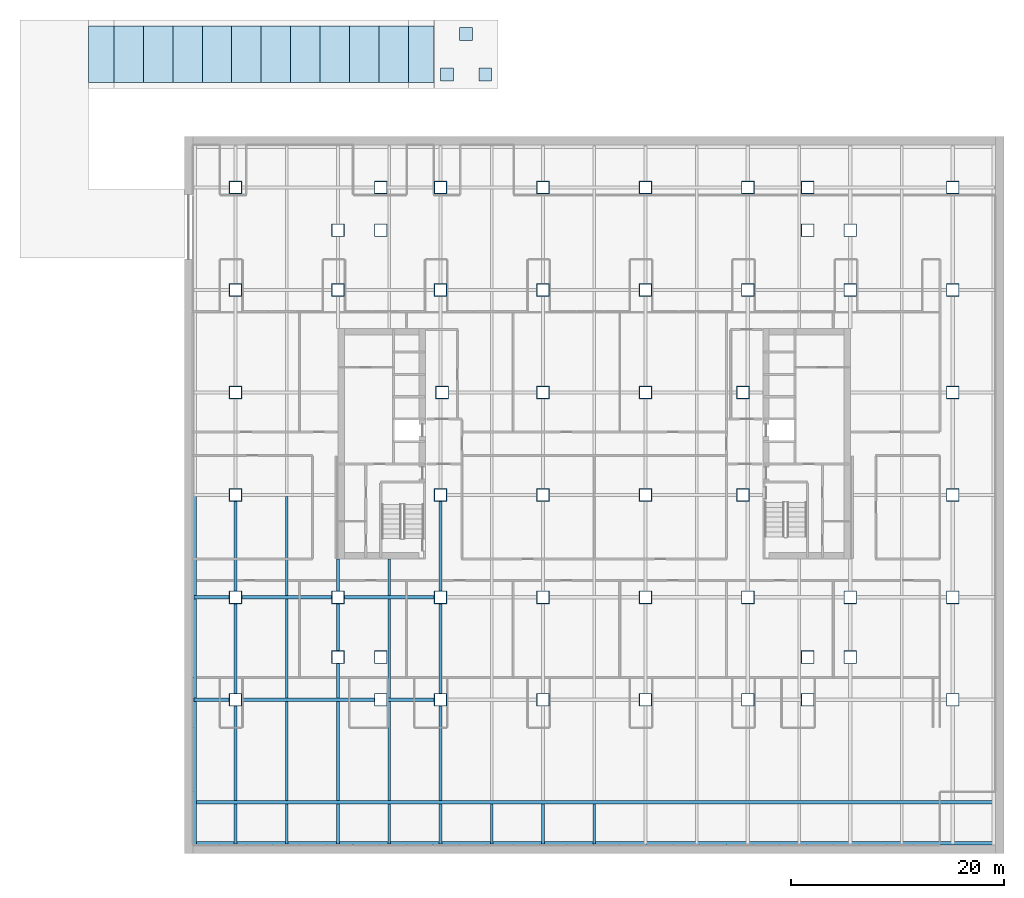
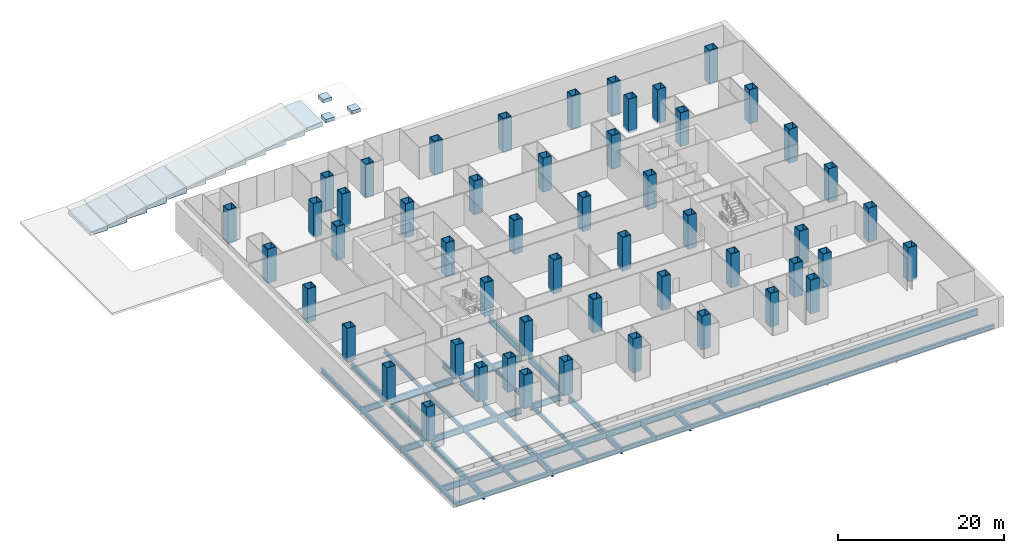
# One storey, part 1 of 11: 52 columns, 35 beams, 15 footings.
"""IFC4 building model written with IfcOpenShell, lengths in metres."""

from ifc_helpers import new_model, si_unit, direction, frame, origin, origin_2d, place, context, subcontext, project, spatial, polyline, hollow_rectangle, i_section, outline, extrude, material, material_profile, profile_set, type_object, element, save


model = new_model("IFC4")

# Units and contexts
model_context = context("Model", 3, precision=1e-05, world=origin(), true_north=direction((0.0, 1.0)))
body_context = subcontext(model_context, "Body", "Model", "MODEL_VIEW")
ifc_project = project(units=[si_unit("LENGTHUNIT", "METRE"), si_unit("AREAUNIT", "SQUARE_METRE"), si_unit("VOLUMEUNIT", "CUBIC_METRE"), si_unit("PLANEANGLEUNIT", "RADIAN"), si_unit("MASSUNIT", "GRAM", prefix="KILO")], contexts=[model_context])

# Site, building, storey
site_placement = place(None, origin())
site = spatial("IfcSite", under=ifc_project, at=site_placement, CompositionType="ELEMENT")
building_placement = place(site_placement, origin())
building = spatial("IfcBuilding", under=site, at=building_placement, Name="Cobrizo Arcos Hotel Tower", CompositionType="ELEMENT")
storey_placement = place(building_placement, frame((0.0, 0.0, -5.0)))
storey = spatial("IfcBuildingStorey", under=building, at=storey_placement, Name="B1", CompositionType="ELEMENT", Elevation=-5.0)

# Footings
ifc_material_1 = material(Name="Concrete f'c 40 MPa", Category="concrete")
footing_type_1 = type_object("IfcFootingType", Name="Ramp bed footing 500", PredefinedType="STRIP_FOOTING", material=ifc_material_1)
footing_1_placement = place(storey_placement, frame((-15.0, 36.5, 4.0), z_axis=(0.0, 0.0, 1.0), x_axis=(-1.0, 0.0, 0.0)))
element("IfcFooting", 1, at=footing_1_placement, inside=storey, type_object=footing_type_1, Name="Ramp A bed footing 1.1", PredefinedType="STRIP_FOOTING", context=body_context, shape_type="SweptSolid", body=[
    extrude(outline(polyline([(0.0, 0.0), (2.39990234375, 0.0), (2.39990234375, 0.5), (0.0, 0.699951171875), (0.0, 0.0)])), frame((0.0, 2.64990234375, 0.0), z_axis=(0.0, -1.0, 0.0), x_axis=(1.0, 0.0, 0.0)), (0.0, 0.0, 1.0), 5.300048828125),
])
for number, where, z_axis, x_axis, name in (
    (2, (-17.39990234375, 36.5, 3.5400390625), (0.0, 0.0, 1.0), (-1.0, 0.0, 0.0), "Ramp A bed footing 2.1"),
    (3, (-20.159912109375, 36.5, 3.080078125), (0.0, 0.0, 1.0), (-1.0, 0.0, 0.0), "Ramp A bed footing 2.2"),
    (4, (-22.919921875, 36.5, 2.6201171875), (0.0, 0.0, 1.0), (-1.0, 0.0, 0.0), "Ramp A bed footing 2.3"),
):
    element("IfcFooting", number, at=place(storey_placement, frame(where, z_axis=z_axis, x_axis=x_axis)), inside=storey, type_object=footing_type_1, Name=name, PredefinedType="STRIP_FOOTING", context=body_context, shape_type="SweptSolid", body=[
        extrude(outline(polyline([(0.0, 0.0), (2.760009765625, 0.0), (2.760009765625, 0.5), (0.0, 0.9599609375), (0.0, 0.0)])), frame((0.0, 2.64990234375, 0.0), z_axis=(0.0, -1.0, 0.0), x_axis=(1.0, 0.0, 0.0)), (0.0, 0.0, 1.0), 5.300048828125),
    ])
footing_2_placement = place(storey_placement, frame((-25.679931640625, 36.5, 2.159912109375), z_axis=(0.0, 0.0, 1.0), x_axis=(-1.0, 0.0, 0.0)))
element("IfcFooting", 5, at=footing_2_placement, inside=storey, type_object=footing_type_1, Name="Ramp A bed footing 2.4", PredefinedType="STRIP_FOOTING", context=body_context, shape_type="SweptSolid", body=[
    extrude(outline(polyline([(0.0, 0.0), (2.760009765625, 0.0), (2.760009765625, 0.5), (0.0, 0.960205078125), (0.0, 0.0)])), frame((0.0, 2.64990234375, 0.0), z_axis=(0.0, -1.0, 0.0), x_axis=(1.0, 0.0, 0.0)), (0.0, 0.0, 1.0), 5.300048828125),
])
for number, where, z_axis, x_axis, name in (
    (6, (-28.43994140625, 36.5, 1.699951171875), (0.0, 0.0, 1.0), (-1.0, 0.0, 0.0), "Ramp A bed footing 2.5"),
    (7, (-31.199951171875, 36.5, 1.239990234375), (0.0, 0.0, 1.0), (-1.0, 0.0, 0.0), "Ramp A bed footing 2.6"),
    (8, (-33.9599609375, 36.5, 0.780029296875), (0.0, 0.0, 1.0), (-1.0, 0.0, 0.0), "Ramp A bed footing 2.7"),
    (9, (-36.719970703125, 36.5, 0.320068359375), (0.0, 0.0, 1.0), (-1.0, 0.0, 0.0), "Ramp A bed footing 2.8"),
    (10, (-39.47998046875, 36.5, -0.139892578125), (0.0, 0.0, 1.0), (-1.0, 0.0, 0.0), "Ramp A bed footing 2.9"),
):
    element("IfcFooting", number, at=place(storey_placement, frame(where, z_axis=z_axis, x_axis=x_axis)), inside=storey, type_object=footing_type_1, Name=name, PredefinedType="STRIP_FOOTING", context=body_context, shape_type="SweptSolid", body=[
        extrude(outline(polyline([(0.0, 0.0), (2.760009765625, 0.0), (2.760009765625, 0.5), (0.0, 0.9599609375), (0.0, 0.0)])), frame((0.0, 2.64990234375, 0.0), z_axis=(0.0, -1.0, 0.0), x_axis=(1.0, 0.0, 0.0)), (0.0, 0.0, 1.0), 5.300048828125),
    ])
footing_3_placement = place(storey_placement, frame((-42.239990234375, 36.5, -0.60009765625), z_axis=(0.0, 0.0, 1.0), x_axis=(-1.0, 0.0, 0.0)))
element("IfcFooting", 11, at=footing_3_placement, inside=storey, type_object=footing_type_1, Name="Ramp A bed footing 2.10", PredefinedType="STRIP_FOOTING", context=body_context, shape_type="SweptSolid", body=[
    extrude(outline(polyline([(0.0, 0.0), (2.760009765625, 0.0), (2.760009765625, 0.5), (0.0, 0.960205078125), (0.0, 0.0)])), frame((0.0, 2.64990234375, 0.0), z_axis=(0.0, -1.0, 0.0), x_axis=(1.0, 0.0, 0.0)), (0.0, 0.0, 1.0), 5.300048828125),
])
footing_4_placement = place(storey_placement, frame((-45.0, 36.5, -0.800048828125), z_axis=(0.0, 0.0, 1.0), x_axis=(-1.0, 0.0, 0.0)))
element("IfcFooting", 12, at=footing_4_placement, inside=storey, type_object=footing_type_1, Name="Ramp A bed footing 3.1", PredefinedType="STRIP_FOOTING", context=body_context, shape_type="SweptSolid", body=[
    extrude(outline(polyline([(0.0, 0.0), (2.39990234375, 0.0), (2.39990234375, 0.5), (0.0, 0.699951171875), (0.0, 0.0)])), frame((0.0, 2.64990234375, 0.0), z_axis=(0.0, -1.0, 0.0), x_axis=(1.0, 0.0, 0.0)), (0.0, 0.0, 1.0), 5.300048828125),
])
footing_type_2 = type_object("IfcFootingType", Name="Ramp wall footing 1400 x 500", PredefinedType="STRIP_FOOTING", material=ifc_material_1)
footing_5_placement = place(storey_placement, frame((0.0, 0.0, 4.199951171875)))
element("IfcFooting", 13, at=footing_5_placement, inside=storey, type_object=footing_type_2, Name="Ramp A apron pad footing 1", PredefinedType="STRIP_FOOTING", context=body_context, shape_type="SweptSolid", body=[
    extrude(outline(polyline([(-14.39990234375, 34.0), (-13.199951171875, 34.0), (-13.199951171875, 35.199951171875), (-14.39990234375, 35.199951171875), (-14.39990234375, 34.0)])), origin(), (0.0, 0.0, 1.0), 0.5),
])
footing_6_placement = place(storey_placement, frame((0.0, 0.0, 4.199951171875)))
element("IfcFooting", 14, at=footing_6_placement, inside=storey, type_object=footing_type_2, Name="Ramp A apron pad footing 2", PredefinedType="STRIP_FOOTING", context=body_context, shape_type="SweptSolid", body=[
    extrude(outline(polyline([(-10.800048828125, 34.0), (-9.60009765625, 34.0), (-9.60009765625, 35.199951171875), (-10.800048828125, 35.199951171875), (-10.800048828125, 34.0)])), origin(), (0.0, 0.0, 1.0), 0.5),
])
footing_7_placement = place(storey_placement, frame((0.0, 0.0, 4.199951171875)))
element("IfcFooting", 15, at=footing_7_placement, inside=storey, type_object=footing_type_2, Name="Ramp A apron pad footing 3", PredefinedType="STRIP_FOOTING", context=body_context, shape_type="SweptSolid", body=[
    extrude(outline(polyline([(-12.60009765625, 37.800048828125), (-11.39990234375, 37.800048828125), (-11.39990234375, 39.0), (-12.60009765625, 39.0), (-12.60009765625, 37.800048828125)])), origin(), (0.0, 0.0, 1.0), 0.5),
])

# Columns
ifc_material_2 = material(Name="Steel ASTM A572 Grade 50", Category="steel")
ifc_material_profile_1 = material_profile(ifc_material_2, hollow_rectangle(XDim=1.199951171875, YDim=1.199951171875, WallThickness=0.070068359375, at=origin_2d()), Name="BOX 1200X1200X70")
ifc_profile_set_1 = profile_set([ifc_material_profile_1], Name="Steel ASTM A572 Grade 50")
column_type_1 = type_object("IfcColumnType", Name="BOX 1200X1200X70 column", PredefinedType="COLUMN", material=ifc_profile_set_1)
for number, where, z_axis, x_axis, name in (
    (16, (-33.60009765625, -24.0, -0.300048828125), (0.0, 0.0, 1.0), (1.0, 0.0, 0.0), "Perimeter column C1, B1, no. 00"),
    (17, (-33.60009765625, -14.39990234375, -0.300048828125), (0.0, 0.0, 1.0), (1.0, 0.0, 0.0), "Perimeter column C1, B1, no. 01"),
    (18, (-33.60009765625, -4.800048828125, -0.300048828125), (0.0, 0.0, 1.0), (1.0, 0.0, 0.0), "Perimeter column C1, B1, no. 02"),
    (19, (-33.60009765625, 4.800048828125, -0.300048828125), (0.0, 0.0, 1.0), (1.0, 0.0, 0.0), "Perimeter column C1, B1, no. 03"),
    (20, (-33.60009765625, 14.39990234375, -0.300048828125), (0.0, 0.0, 1.0), (1.0, 0.0, 0.0), "Perimeter column C1, B1, no. 04"),
    (21, (-33.60009765625, 24.0, -0.300048828125), (0.0, 0.0, 1.0), (1.0, 0.0, 0.0), "Perimeter column C1, B1, no. 05"),
    (22, (-20.0, -24.0, -0.300048828125), (0.0, 0.0, 1.0), (1.0, 0.0, 0.0), "Perimeter column C1, B1, no. 06"),
    (23, (-20.0, 24.0, -0.300048828125), (0.0, 0.0, 1.0), (1.0, 0.0, 0.0), "Perimeter column C1, B1, no. 07"),
    (24, (-14.39990234375, -24.0, -0.300048828125), (0.0, 0.0, 1.0), (1.0, 0.0, 0.0), "Perimeter column C1, B1, no. 08"),
    (25, (-14.39990234375, 24.0, -0.300048828125), (0.0, 0.0, 1.0), (1.0, 0.0, 0.0), "Perimeter column C1, B1, no. 09"),
    (26, (-4.800048828125, -24.0, -0.300048828125), (0.0, 0.0, 1.0), (1.0, 0.0, 0.0), "Perimeter column C1, B1, no. 10"),
    (27, (-4.800048828125, 24.0, -0.300048828125), (0.0, 0.0, 1.0), (1.0, 0.0, 0.0), "Perimeter column C1, B1, no. 11"),
    (28, (4.800048828125, -24.0, -0.300048828125), (0.0, 0.0, 1.0), (1.0, 0.0, 0.0), "Perimeter column C1, B1, no. 12"),
    (29, (4.800048828125, 24.0, -0.300048828125), (0.0, 0.0, 1.0), (1.0, 0.0, 0.0), "Perimeter column C1, B1, no. 13"),
    (30, (14.39990234375, -24.0, -0.300048828125), (0.0, 0.0, 1.0), (1.0, 0.0, 0.0), "Perimeter column C1, B1, no. 14"),
    (31, (14.39990234375, 24.0, -0.300048828125), (0.0, 0.0, 1.0), (1.0, 0.0, 0.0), "Perimeter column C1, B1, no. 15"),
    (32, (20.0, -24.0, -0.300048828125), (0.0, 0.0, 1.0), (1.0, 0.0, 0.0), "Perimeter column C1, B1, no. 16"),
    (33, (20.0, 24.0, -0.300048828125), (0.0, 0.0, 1.0), (1.0, 0.0, 0.0), "Perimeter column C1, B1, no. 17"),
    (34, (33.60009765625, -24.0, -0.300048828125), (0.0, 0.0, 1.0), (1.0, 0.0, 0.0), "Perimeter column C1, B1, no. 18"),
    (35, (33.60009765625, -14.39990234375, -0.300048828125), (0.0, 0.0, 1.0), (1.0, 0.0, 0.0), "Perimeter column C1, B1, no. 19"),
    (36, (33.60009765625, -4.800048828125, -0.300048828125), (0.0, 0.0, 1.0), (1.0, 0.0, 0.0), "Perimeter column C1, B1, no. 20"),
    (37, (33.60009765625, 4.800048828125, -0.300048828125), (0.0, 0.0, 1.0), (1.0, 0.0, 0.0), "Perimeter column C1, B1, no. 21"),
    (38, (33.60009765625, 14.39990234375, -0.300048828125), (0.0, 0.0, 1.0), (1.0, 0.0, 0.0), "Perimeter column C1, B1, no. 22"),
    (39, (33.60009765625, 24.0, -0.300048828125), (0.0, 0.0, 1.0), (1.0, 0.0, 0.0), "Perimeter column C1, B1, no. 23"),
):
    element("IfcColumn", number, at=place(storey_placement, frame(where, z_axis=z_axis, x_axis=x_axis)), inside=storey, type_object=column_type_1, Name=name, PredefinedType="COLUMN", context=body_context, shape_type="SweptSolid", body=[
        extrude(hollow_rectangle(XDim=1.199951171875, YDim=1.199951171875, WallThickness=0.070068359375, at=origin_2d()), origin(), (0.0, 0.0, 1.0), 5.0),
    ])
ifc_material_profile_2 = material_profile(ifc_material_2, hollow_rectangle(XDim=1.199951171875, YDim=1.199951171875, WallThickness=0.070068359375, at=origin_2d()), Name="BOX 1200X1200X70")
ifc_profile_set_2 = profile_set([ifc_material_profile_2], Name="Steel ASTM A572 Grade 50")
column_type_2 = type_object("IfcColumnType", Name="BOX 1200X1200X70 interior column", PredefinedType="COLUMN", material=ifc_profile_set_2)
for number, where, z_axis, x_axis, name in (
    (40, (-24.0, -20.0, -0.300048828125), (0.0, 0.0, 1.0), (1.0, 0.0, 0.0), "Interior column C2, B1, no. 00"),
    (41, (-24.0, -14.39990234375, -0.300048828125), (0.0, 0.0, 1.0), (1.0, 0.0, 0.0), "Interior column C2, B1, no. 01"),
    (42, (-24.0, 14.39990234375, -0.300048828125), (0.0, 0.0, 1.0), (1.0, 0.0, 0.0), "Interior column C2, B1, no. 02"),
    (43, (-24.0, 20.0, -0.300048828125), (0.0, 0.0, 1.0), (1.0, 0.0, 0.0), "Interior column C2, B1, no. 03"),
    (44, (-20.0, -20.0, -0.300048828125), (0.0, 0.0, 1.0), (1.0, 0.0, 0.0), "Interior column C2, B1, no. 04"),
    (45, (-20.0, 20.0, -0.300048828125), (0.0, 0.0, 1.0), (1.0, 0.0, 0.0), "Interior column C2, B1, no. 05"),
    (46, (-14.39990234375, -14.39990234375, -0.300048828125), (0.0, 0.0, 1.0), (1.0, 0.0, 0.0), "Interior column C2, B1, no. 06"),
    (47, (-14.39990234375, -4.800048828125, -0.300048828125), (0.0, 0.0, 1.0), (1.0, 0.0, 0.0), "Interior column C2, B1, no. 07"),
    (48, (-14.25, 4.800048828125, -0.300048828125), (0.0, 0.0, 1.0), (1.0, 0.0, 0.0), "Interior column C2, B1, no. 08"),
    (49, (-14.39990234375, 14.39990234375, -0.300048828125), (0.0, 0.0, 1.0), (1.0, 0.0, 0.0), "Interior column C2, B1, no. 09"),
    (50, (-4.800048828125, -14.39990234375, -0.300048828125), (0.0, 0.0, 1.0), (1.0, 0.0, 0.0), "Interior column C2, B1, no. 10"),
    (51, (-4.800048828125, -4.800048828125, -0.300048828125), (0.0, 0.0, 1.0), (1.0, 0.0, 0.0), "Interior column C2, B1, no. 11"),
    (52, (-4.800048828125, 4.800048828125, -0.300048828125), (0.0, 0.0, 1.0), (1.0, 0.0, 0.0), "Interior column C2, B1, no. 12"),
    (53, (-4.800048828125, 14.39990234375, -0.300048828125), (0.0, 0.0, 1.0), (1.0, 0.0, 0.0), "Interior column C2, B1, no. 13"),
    (54, (4.800048828125, -14.39990234375, -0.300048828125), (0.0, 0.0, 1.0), (1.0, 0.0, 0.0), "Interior column C2, B1, no. 14"),
    (55, (4.800048828125, -4.800048828125, -0.300048828125), (0.0, 0.0, 1.0), (1.0, 0.0, 0.0), "Interior column C2, B1, no. 15"),
    (56, (4.800048828125, 4.800048828125, -0.300048828125), (0.0, 0.0, 1.0), (1.0, 0.0, 0.0), "Interior column C2, B1, no. 16"),
    (57, (4.800048828125, 14.39990234375, -0.300048828125), (0.0, 0.0, 1.0), (1.0, 0.0, 0.0), "Interior column C2, B1, no. 17"),
    (58, (14.39990234375, -14.39990234375, -0.300048828125), (0.0, 0.0, 1.0), (1.0, 0.0, 0.0), "Interior column C2, B1, no. 18"),
    (59, (13.93994140625, -4.800048828125, -0.300048828125), (0.0, 0.0, 1.0), (1.0, 0.0, 0.0), "Interior column C2, B1, no. 19"),
    (60, (13.93994140625, 4.800048828125, -0.300048828125), (0.0, 0.0, 1.0), (1.0, 0.0, 0.0), "Interior column C2, B1, no. 20"),
    (61, (14.39990234375, 14.39990234375, -0.300048828125), (0.0, 0.0, 1.0), (1.0, 0.0, 0.0), "Interior column C2, B1, no. 21"),
    (62, (20.0, -20.0, -0.300048828125), (0.0, 0.0, 1.0), (1.0, 0.0, 0.0), "Interior column C2, B1, no. 22"),
    (63, (20.0, 20.0, -0.300048828125), (0.0, 0.0, 1.0), (1.0, 0.0, 0.0), "Interior column C2, B1, no. 23"),
    (64, (24.0, -20.0, -0.300048828125), (0.0, 0.0, 1.0), (1.0, 0.0, 0.0), "Interior column C2, B1, no. 24"),
    (65, (24.0, -14.39990234375, -0.300048828125), (0.0, 0.0, 1.0), (1.0, 0.0, 0.0), "Interior column C2, B1, no. 25"),
    (66, (24.0, 14.39990234375, -0.300048828125), (0.0, 0.0, 1.0), (1.0, 0.0, 0.0), "Interior column C2, B1, no. 26"),
    (67, (24.0, 20.0, -0.300048828125), (0.0, 0.0, 1.0), (1.0, 0.0, 0.0), "Interior column C2, B1, no. 27"),
):
    element("IfcColumn", number, at=place(storey_placement, frame(where, z_axis=z_axis, x_axis=x_axis)), inside=storey, type_object=column_type_2, Name=name, PredefinedType="COLUMN", context=body_context, shape_type="SweptSolid", body=[
        extrude(hollow_rectangle(XDim=1.199951171875, YDim=1.199951171875, WallThickness=0.070068359375, at=origin_2d()), origin(), (0.0, 0.0, 1.0), 5.0),
    ])

# Beams
ifc_material_3 = material(Name="Steel ASTM A992 Grade 50", Category="steel")
ifc_material_profile_3 = material_profile(ifc_material_3, i_section(OverallWidth=0.32763671875, OverallDepth=0.622314453125, WebThickness=0.015380859375, FlangeThickness=0.0244140625, at=origin_2d()), Name="W24X131")
ifc_profile_set_3 = profile_set([ifc_material_profile_3], Name="Steel ASTM A992 Grade 50")
beam_type_1 = type_object("IfcBeamType", Name="W24X131 edge beam", PredefinedType="BEAM", material=ifc_profile_set_3)
beam_1_placement = place(storey_placement, frame((37.60009765625, -37.436279296875, -0.611083984375), z_axis=(-1.0, 0.0, 0.0), x_axis=(0.0, -1.0, 0.0)))
element("IfcBeam", 68, at=beam_1_placement, inside=storey, type_object=beam_type_1, Name="Edge beam EB1, B1, no. 001", PredefinedType="BEAM", context=body_context, shape_type="SweptSolid", body=[
    extrude(i_section(OverallWidth=0.32763671875, OverallDepth=0.622314453125, WebThickness=0.015380859375, FlangeThickness=0.0244140625, at=origin_2d()), origin(), (0.0, 0.0, 1.0), 75.2001953125),
])
beam_2_placement = place(storey_placement, frame((-37.436279296875, -37.60009765625, -0.611083984375), z_axis=(0.0, 1.0, 0.0), x_axis=(-1.0, 0.0, 0.0)))
element("IfcBeam", 69, at=beam_2_placement, inside=storey, type_object=beam_type_1, Name="Edge beam EB1, B1, no. 002", PredefinedType="BEAM", context=body_context, shape_type="SweptSolid", body=[
    extrude(i_section(OverallWidth=0.32763671875, OverallDepth=0.622314453125, WebThickness=0.015380859375, FlangeThickness=0.0244140625, at=origin_2d()), origin(), (0.0, 0.0, 1.0), 13.60009765625),
])
beam_3_placement = place(storey_placement, frame((-37.436279296875, -24.0, -0.611083984375), z_axis=(0.0, 1.0, 0.0), x_axis=(-1.0, 0.0, 0.0)))
element("IfcBeam", 70, at=beam_3_placement, inside=storey, type_object=beam_type_1, Name="Edge beam EB1, B1, no. 003", PredefinedType="BEAM", context=body_context, shape_type="SweptSolid", body=[
    extrude(i_section(OverallWidth=0.32763671875, OverallDepth=0.622314453125, WebThickness=0.015380859375, FlangeThickness=0.0244140625, at=origin_2d()), origin(), (0.0, 0.0, 1.0), 9.60009765625),
])
beam_4_placement = place(storey_placement, frame((-37.436279296875, -14.39990234375, -0.611083984375), z_axis=(0.0, 1.0, 0.0), x_axis=(-1.0, 0.0, 0.0)))
element("IfcBeam", 71, at=beam_4_placement, inside=storey, type_object=beam_type_1, Name="Edge beam EB1, B1, no. 004", PredefinedType="BEAM", context=body_context, shape_type="SweptSolid", body=[
    extrude(i_section(OverallWidth=0.32763671875, OverallDepth=0.622314453125, WebThickness=0.015380859375, FlangeThickness=0.0244140625, at=origin_2d()), origin(), (0.0, 0.0, 1.0), 9.599853515625),
])
ifc_material_profile_4 = material_profile(ifc_material_3, i_section(OverallWidth=0.23046875, OverallDepth=0.6171875, WebThickness=0.01318359375, FlangeThickness=0.022216796875, at=origin_2d()), Name="W24X94")
ifc_profile_set_4 = profile_set([ifc_material_profile_4], Name="Steel ASTM A992 Grade 50")
beam_type_2 = type_object("IfcBeamType", Name="W24X94 podium joist", PredefinedType="JOIST", material=ifc_profile_set_4)
beam_5_placement = place(storey_placement, frame((-28.800048828125, -37.510009765625, -0.608642578125), z_axis=(0.0, 1.0, 0.0), x_axis=(-1.0, 0.0, 0.0)))
element("IfcBeam", 72, at=beam_5_placement, inside=storey, type_object=beam_type_2, Name="Podium joist PJ1, B1, no. 001", PredefinedType="JOIST", context=body_context, shape_type="SweptSolid", body=[
    extrude(i_section(OverallWidth=0.23046875, OverallDepth=0.6171875, WebThickness=0.01318359375, FlangeThickness=0.022216796875, at=origin_2d()), origin(), (0.0, 0.0, 1.0), 3.75634765625),
])
for number, where, z_axis, x_axis, name in (
    (73, (-28.800048828125, -33.4462890625, -0.608642578125), (0.0, 1.0, 0.0), (-1.0, 0.0, 0.0), "Podium joist PJ1, B1, no. 002"),
    (74, (-28.800048828125, -23.846435546875, -0.608642578125), (0.0, 1.0, 0.0), (-1.0, 0.0, 0.0), "Podium joist PJ1, B1, no. 003"),
    (75, (-28.800048828125, -14.246337890625, -0.608642578125), (0.0, 1.0, 0.0), (-1.0, 0.0, 0.0), "Podium joist PJ1, B1, no. 004"),
):
    element("IfcBeam", number, at=place(storey_placement, frame(where, z_axis=z_axis, x_axis=x_axis)), inside=storey, type_object=beam_type_2, Name=name, PredefinedType="JOIST", context=body_context, shape_type="SweptSolid", body=[
        extrude(i_section(OverallWidth=0.23046875, OverallDepth=0.6171875, WebThickness=0.01318359375, FlangeThickness=0.022216796875, at=origin_2d()), origin(), (0.0, 0.0, 1.0), 9.292724609375),
    ])
beam_6_placement = place(storey_placement, frame((-19.199951171875, -37.510009765625, -0.608642578125), z_axis=(0.0, 1.0, 0.0), x_axis=(-1.0, 0.0, 0.0)))
element("IfcBeam", 76, at=beam_6_placement, inside=storey, type_object=beam_type_2, Name="Podium joist PJ1, B1, no. 009", PredefinedType="JOIST", context=body_context, shape_type="SweptSolid", body=[
    extrude(i_section(OverallWidth=0.23046875, OverallDepth=0.6171875, WebThickness=0.01318359375, FlangeThickness=0.022216796875, at=origin_2d()), origin(), (0.0, 0.0, 1.0), 3.75634765625),
])
for number, where, z_axis, x_axis, name in (
    (77, (-19.199951171875, -33.4462890625, -0.608642578125), (0.0, 1.0, 0.0), (-1.0, 0.0, 0.0), "Podium joist PJ1, B1, no. 010"),
    (78, (-19.199951171875, -23.846435546875, -0.608642578125), (0.0, 1.0, 0.0), (-1.0, 0.0, 0.0), "Podium joist PJ1, B1, no. 011"),
):
    element("IfcBeam", number, at=place(storey_placement, frame(where, z_axis=z_axis, x_axis=x_axis)), inside=storey, type_object=beam_type_2, Name=name, PredefinedType="JOIST", context=body_context, shape_type="SweptSolid", body=[
        extrude(i_section(OverallWidth=0.23046875, OverallDepth=0.6171875, WebThickness=0.01318359375, FlangeThickness=0.022216796875, at=origin_2d()), origin(), (0.0, 0.0, 1.0), 9.292724609375),
    ])
beam_7_placement = place(storey_placement, frame((-19.199951171875, -14.246337890625, -0.608642578125), z_axis=(0.0, 1.0, 0.0), x_axis=(-1.0, 0.0, 0.0)))
element("IfcBeam", 79, at=beam_7_placement, inside=storey, type_object=beam_type_2, Name="Podium joist PJ1, B1, no. 012", PredefinedType="JOIST", context=body_context, shape_type="SweptSolid", body=[
    extrude(i_section(OverallWidth=0.23046875, OverallDepth=0.6171875, WebThickness=0.01318359375, FlangeThickness=0.022216796875, at=origin_2d()), origin(), (0.0, 0.0, 1.0), 3.436279296875),
])
for number, where, z_axis, x_axis, name in (
    (80, (-9.60009765625, -37.510009765625, -0.608642578125), (0.0, 1.0, 0.0), (-1.0, 0.0, 0.0), "Podium joist PJ1, B1, no. 016"),
    (81, (0.0, -37.510009765625, -0.608642578125), (0.0, 1.0, 0.0), (-1.0, 0.0, 0.0), "Podium joist PJ1, B1, no. 024"),
):
    element("IfcBeam", number, at=place(storey_placement, frame(where, z_axis=z_axis, x_axis=x_axis)), inside=storey, type_object=beam_type_2, Name=name, PredefinedType="JOIST", context=body_context, shape_type="SweptSolid", body=[
        extrude(i_section(OverallWidth=0.23046875, OverallDepth=0.6171875, WebThickness=0.01318359375, FlangeThickness=0.022216796875, at=origin_2d()), origin(), (0.0, 0.0, 1.0), 3.75634765625),
    ])
ifc_material_profile_5 = material_profile(ifc_material_3, i_section(OverallWidth=0.307373046875, OverallDepth=0.927001953125, WebThickness=0.01953125, FlangeThickness=0.031982421875, at=origin_2d()), Name="W36X194")
ifc_profile_set_5 = profile_set([ifc_material_profile_5], Name="Steel ASTM A992 Grade 50")
beam_type_3 = type_object("IfcBeamType", Name="W36X194 podium girder", PredefinedType="BEAM", material=ifc_profile_set_5)
beam_8_placement = place(storey_placement, frame((-37.510009765625, -33.60009765625, -0.763427734375), z_axis=(1.0, 0.0, 0.0), x_axis=(0.0, 1.0, 0.0)))
element("IfcBeam", 82, at=beam_8_placement, inside=storey, type_object=beam_type_3, Name="Podium girder PG1, B1, no. 001", PredefinedType="BEAM", context=body_context, shape_type="SweptSolid", body=[
    extrude(i_section(OverallWidth=0.307373046875, OverallDepth=0.927001953125, WebThickness=0.01953125, FlangeThickness=0.031982421875, at=origin_2d()), origin(), (0.0, 0.0, 1.0), 75.02001953125),
])
beam_9_placement = place(storey_placement, frame((-37.510009765625, -24.0, -0.763427734375), z_axis=(1.0, 0.0, 0.0), x_axis=(0.0, 1.0, 0.0)))
element("IfcBeam", 83, at=beam_9_placement, inside=storey, type_object=beam_type_3, Name="Podium girder PG1, B1, no. 002", PredefinedType="BEAM", context=body_context, shape_type="SweptSolid", body=[
    extrude(i_section(OverallWidth=0.307373046875, OverallDepth=0.927001953125, WebThickness=0.01953125, FlangeThickness=0.031982421875, at=origin_2d()), origin(), (0.0, 0.0, 1.0), 3.31005859375),
])
beam_10_placement = place(storey_placement, frame((-33.0, -24.0, -0.763427734375), z_axis=(1.0, 0.0, 0.0), x_axis=(0.0, 1.0, 0.0)))
element("IfcBeam", 84, at=beam_10_placement, inside=storey, type_object=beam_type_3, Name="Podium girder PG1, B1, no. 003", PredefinedType="BEAM", context=body_context, shape_type="SweptSolid", body=[
    extrude(i_section(OverallWidth=0.307373046875, OverallDepth=0.927001953125, WebThickness=0.01953125, FlangeThickness=0.031982421875, at=origin_2d()), origin(), (0.0, 0.0, 1.0), 12.39990234375),
])
beam_11_placement = place(storey_placement, frame((-19.39990234375, -24.0, -0.763427734375), z_axis=(1.0, 0.0, 0.0), x_axis=(0.0, 1.0, 0.0)))
element("IfcBeam", 85, at=beam_11_placement, inside=storey, type_object=beam_type_3, Name="Podium girder PG1, B1, no. 004", PredefinedType="BEAM", context=body_context, shape_type="SweptSolid", body=[
    extrude(i_section(OverallWidth=0.307373046875, OverallDepth=0.927001953125, WebThickness=0.01953125, FlangeThickness=0.031982421875, at=origin_2d()), origin(), (0.0, 0.0, 1.0), 4.39990234375),
])
beam_12_placement = place(storey_placement, frame((-37.510009765625, -14.39990234375, -0.763427734375), z_axis=(1.0, 0.0, 0.0), x_axis=(0.0, 1.0, 0.0)))
element("IfcBeam", 86, at=beam_12_placement, inside=storey, type_object=beam_type_3, Name="Podium girder PG1, B1, no. 011", PredefinedType="BEAM", context=body_context, shape_type="SweptSolid", body=[
    extrude(i_section(OverallWidth=0.307373046875, OverallDepth=0.927001953125, WebThickness=0.01953125, FlangeThickness=0.031982421875, at=origin_2d()), origin(), (0.0, 0.0, 1.0), 3.31005859375),
])
for number, where, z_axis, x_axis, name in (
    (87, (-33.0, -14.39990234375, -0.763427734375), (1.0, 0.0, 0.0), (0.0, 1.0, 0.0), "Podium girder PG1, B1, no. 012"),
    (88, (-23.39990234375, -14.39990234375, -0.763427734375), (1.0, 0.0, 0.0), (0.0, 1.0, 0.0), "Podium girder PG1, B1, no. 013"),
):
    element("IfcBeam", number, at=place(storey_placement, frame(where, z_axis=z_axis, x_axis=x_axis)), inside=storey, type_object=beam_type_3, Name=name, PredefinedType="BEAM", context=body_context, shape_type="SweptSolid", body=[
        extrude(i_section(OverallWidth=0.307373046875, OverallDepth=0.927001953125, WebThickness=0.01953125, FlangeThickness=0.031982421875, at=origin_2d()), origin(), (0.0, 0.0, 1.0), 8.39990234375),
    ])
beam_13_placement = place(storey_placement, frame((-33.60009765625, -37.510009765625, -0.763427734375), z_axis=(0.0, 1.0, 0.0), x_axis=(-1.0, 0.0, 0.0)))
element("IfcBeam", 89, at=beam_13_placement, inside=storey, type_object=beam_type_3, Name="Podium girder PG1, B1, no. 054", PredefinedType="BEAM", context=body_context, shape_type="SweptSolid", body=[
    extrude(i_section(OverallWidth=0.307373046875, OverallDepth=0.927001953125, WebThickness=0.01953125, FlangeThickness=0.031982421875, at=origin_2d()), origin(), (0.0, 0.0, 1.0), 3.75634765625),
])
beam_14_placement = place(storey_placement, frame((-33.60009765625, -33.4462890625, -0.763427734375), z_axis=(0.0, 1.0, 0.0), x_axis=(-1.0, 0.0, 0.0)))
element("IfcBeam", 90, at=beam_14_placement, inside=storey, type_object=beam_type_3, Name="Podium girder PG1, B1, no. 055", PredefinedType="BEAM", context=body_context, shape_type="SweptSolid", body=[
    extrude(i_section(OverallWidth=0.307373046875, OverallDepth=0.927001953125, WebThickness=0.01953125, FlangeThickness=0.031982421875, at=origin_2d()), origin(), (0.0, 0.0, 1.0), 8.84619140625),
])
beam_15_placement = place(storey_placement, frame((-33.60009765625, -23.39990234375, -0.763427734375), z_axis=(0.0, 1.0, 0.0), x_axis=(-1.0, 0.0, 0.0)))
element("IfcBeam", 91, at=beam_15_placement, inside=storey, type_object=beam_type_3, Name="Podium girder PG1, B1, no. 056", PredefinedType="BEAM", context=body_context, shape_type="SweptSolid", body=[
    extrude(i_section(OverallWidth=0.307373046875, OverallDepth=0.927001953125, WebThickness=0.01953125, FlangeThickness=0.031982421875, at=origin_2d()), origin(), (0.0, 0.0, 1.0), 8.39990234375),
])
beam_16_placement = place(storey_placement, frame((-33.60009765625, -13.800048828125, -0.763427734375), z_axis=(0.0, 1.0, 0.0), x_axis=(-1.0, 0.0, 0.0)))
element("IfcBeam", 92, at=beam_16_placement, inside=storey, type_object=beam_type_3, Name="Podium girder PG1, B1, no. 057", PredefinedType="BEAM", context=body_context, shape_type="SweptSolid", body=[
    extrude(i_section(OverallWidth=0.307373046875, OverallDepth=0.927001953125, WebThickness=0.01953125, FlangeThickness=0.031982421875, at=origin_2d()), origin(), (0.0, 0.0, 1.0), 8.400146484375),
])
beam_17_placement = place(storey_placement, frame((-24.0, -37.510009765625, -0.763427734375), z_axis=(0.0, 1.0, 0.0), x_axis=(-1.0, 0.0, 0.0)))
element("IfcBeam", 93, at=beam_17_placement, inside=storey, type_object=beam_type_3, Name="Podium girder PG1, B1, no. 062", PredefinedType="BEAM", context=body_context, shape_type="SweptSolid", body=[
    extrude(i_section(OverallWidth=0.307373046875, OverallDepth=0.927001953125, WebThickness=0.01953125, FlangeThickness=0.031982421875, at=origin_2d()), origin(), (0.0, 0.0, 1.0), 3.75634765625),
])
beam_18_placement = place(storey_placement, frame((-24.0, -33.4462890625, -0.763427734375), z_axis=(0.0, 1.0, 0.0), x_axis=(-1.0, 0.0, 0.0)))
element("IfcBeam", 94, at=beam_18_placement, inside=storey, type_object=beam_type_3, Name="Podium girder PG1, B1, no. 063", PredefinedType="BEAM", context=body_context, shape_type="SweptSolid", body=[
    extrude(i_section(OverallWidth=0.307373046875, OverallDepth=0.927001953125, WebThickness=0.01953125, FlangeThickness=0.031982421875, at=origin_2d()), origin(), (0.0, 0.0, 1.0), 9.292724609375),
])
beam_19_placement = place(storey_placement, frame((-24.0, -23.846435546875, -0.763427734375), z_axis=(0.0, 1.0, 0.0), x_axis=(-1.0, 0.0, 0.0)))
element("IfcBeam", 95, at=beam_19_placement, inside=storey, type_object=beam_type_3, Name="Podium girder PG1, B1, no. 064", PredefinedType="BEAM", context=body_context, shape_type="SweptSolid", body=[
    extrude(i_section(OverallWidth=0.307373046875, OverallDepth=0.927001953125, WebThickness=0.01953125, FlangeThickness=0.031982421875, at=origin_2d()), origin(), (0.0, 0.0, 1.0), 3.246337890625),
])
beam_20_placement = place(storey_placement, frame((-24.0, -19.39990234375, -0.763427734375), z_axis=(0.0, 1.0, 0.0), x_axis=(-1.0, 0.0, 0.0)))
element("IfcBeam", 96, at=beam_20_placement, inside=storey, type_object=beam_type_3, Name="Podium girder PG1, B1, no. 065", PredefinedType="BEAM", context=body_context, shape_type="SweptSolid", body=[
    extrude(i_section(OverallWidth=0.307373046875, OverallDepth=0.927001953125, WebThickness=0.01953125, FlangeThickness=0.031982421875, at=origin_2d()), origin(), (0.0, 0.0, 1.0), 4.39990234375),
])
beam_21_placement = place(storey_placement, frame((-24.0, -13.800048828125, -0.763427734375), z_axis=(0.0, 1.0, 0.0), x_axis=(-1.0, 0.0, 0.0)))
element("IfcBeam", 97, at=beam_21_placement, inside=storey, type_object=beam_type_3, Name="Podium girder PG1, B1, no. 066", PredefinedType="BEAM", context=body_context, shape_type="SweptSolid", body=[
    extrude(i_section(OverallWidth=0.307373046875, OverallDepth=0.927001953125, WebThickness=0.01953125, FlangeThickness=0.031982421875, at=origin_2d()), origin(), (0.0, 0.0, 1.0), 2.989990234375),
])
beam_22_placement = place(storey_placement, frame((-14.39990234375, -37.510009765625, -0.763427734375), z_axis=(0.0, 1.0, 0.0), x_axis=(-1.0, 0.0, 0.0)))
element("IfcBeam", 98, at=beam_22_placement, inside=storey, type_object=beam_type_3, Name="Podium girder PG1, B1, no. 071", PredefinedType="BEAM", context=body_context, shape_type="SweptSolid", body=[
    extrude(i_section(OverallWidth=0.307373046875, OverallDepth=0.927001953125, WebThickness=0.01953125, FlangeThickness=0.031982421875, at=origin_2d()), origin(), (0.0, 0.0, 1.0), 3.75634765625),
])
beam_23_placement = place(storey_placement, frame((-14.39990234375, -33.4462890625, -0.763427734375), z_axis=(0.0, 1.0, 0.0), x_axis=(-1.0, 0.0, 0.0)))
element("IfcBeam", 99, at=beam_23_placement, inside=storey, type_object=beam_type_3, Name="Podium girder PG1, B1, no. 072", PredefinedType="BEAM", context=body_context, shape_type="SweptSolid", body=[
    extrude(i_section(OverallWidth=0.307373046875, OverallDepth=0.927001953125, WebThickness=0.01953125, FlangeThickness=0.031982421875, at=origin_2d()), origin(), (0.0, 0.0, 1.0), 8.84619140625),
])
beam_24_placement = place(storey_placement, frame((-14.39990234375, -23.39990234375, -0.763427734375), z_axis=(0.0, 1.0, 0.0), x_axis=(-1.0, 0.0, 0.0)))
element("IfcBeam", 100, at=beam_24_placement, inside=storey, type_object=beam_type_3, Name="Podium girder PG1, B1, no. 073", PredefinedType="BEAM", context=body_context, shape_type="SweptSolid", body=[
    extrude(i_section(OverallWidth=0.307373046875, OverallDepth=0.927001953125, WebThickness=0.01953125, FlangeThickness=0.031982421875, at=origin_2d()), origin(), (0.0, 0.0, 1.0), 8.39990234375),
])
beam_25_placement = place(storey_placement, frame((-14.39990234375, -13.800048828125, -0.763427734375), z_axis=(0.0, 1.0, 0.0), x_axis=(-1.0, 0.0, 0.0)))
element("IfcBeam", 101, at=beam_25_placement, inside=storey, type_object=beam_type_3, Name="Podium girder PG1, B1, no. 074", PredefinedType="BEAM", context=body_context, shape_type="SweptSolid", body=[
    extrude(i_section(OverallWidth=0.307373046875, OverallDepth=0.927001953125, WebThickness=0.01953125, FlangeThickness=0.031982421875, at=origin_2d()), origin(), (0.0, 0.0, 1.0), 8.400146484375),
])
beam_26_placement = place(storey_placement, frame((-4.800048828125, -37.510009765625, -0.763427734375), z_axis=(0.0, 1.0, 0.0), x_axis=(-1.0, 0.0, 0.0)))
element("IfcBeam", 102, at=beam_26_placement, inside=storey, type_object=beam_type_3, Name="Podium girder PG1, B1, no. 079", PredefinedType="BEAM", context=body_context, shape_type="SweptSolid", body=[
    extrude(i_section(OverallWidth=0.307373046875, OverallDepth=0.927001953125, WebThickness=0.01953125, FlangeThickness=0.031982421875, at=origin_2d()), origin(), (0.0, 0.0, 1.0), 3.75634765625),
])

save(model, "model.ifc")
